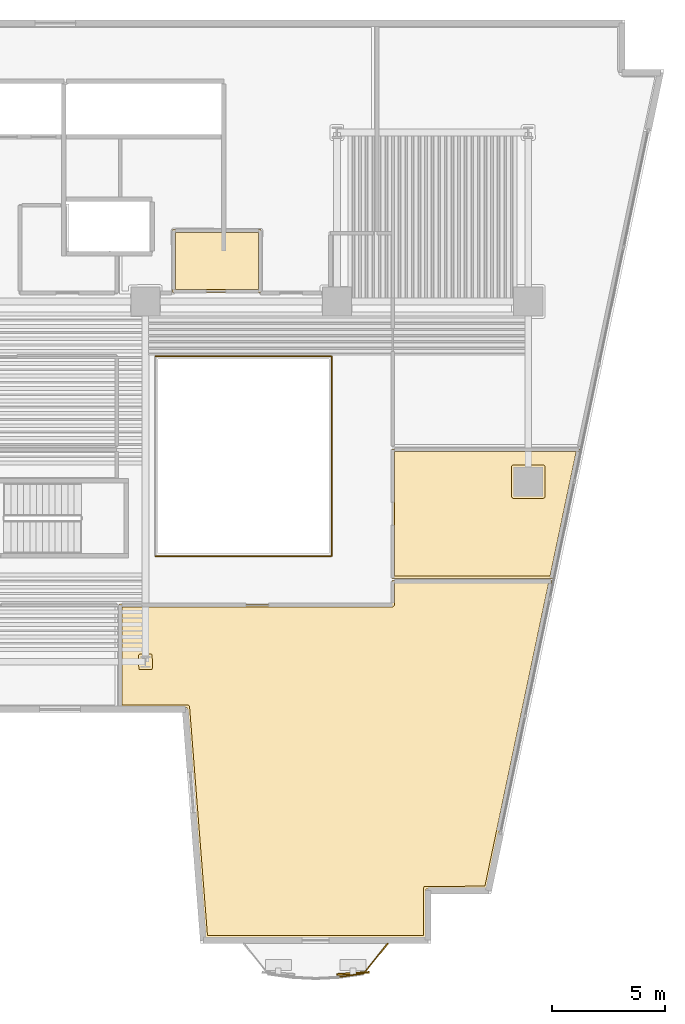
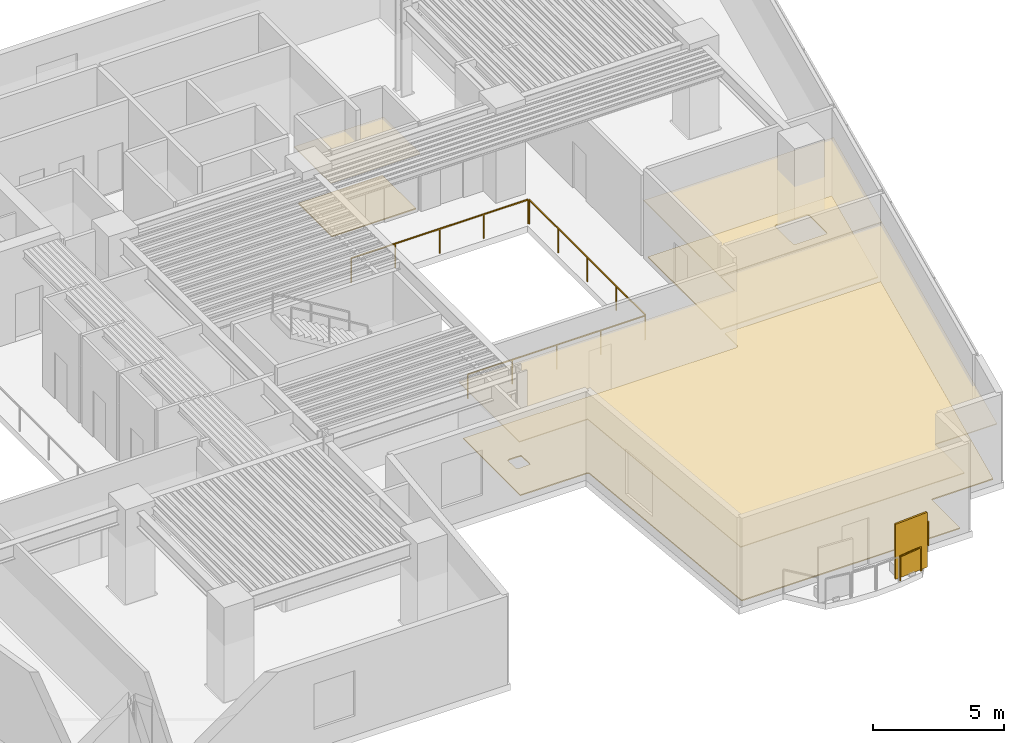
# One storey, part 9 of 11: 6 coverings, 5 railings, 1 shading device.
"""IFC4 building model written with IfcOpenShell, lengths in metres."""

from ifc_helpers import new_model, si_unit, direction, frame, origin, origin_2d, place, context, subcontext, project, spatial, polyline, rectangle, outline, extrude, material, layer, layer_set, type_object, element, save


model = new_model("IFC4")

# Units and contexts
model_context = context("Model", 3, precision=1e-05, world=origin(), true_north=direction((0.0, 1.0)))
body_context = subcontext(model_context, "Body", "Model", "MODEL_VIEW")
ifc_project = project(units=[si_unit("LENGTHUNIT", "METRE"), si_unit("AREAUNIT", "SQUARE_METRE"), si_unit("VOLUMEUNIT", "CUBIC_METRE"), si_unit("PLANEANGLEUNIT", "RADIAN"), si_unit("MASSUNIT", "GRAM", prefix="KILO")], contexts=[model_context])

# Site, building, storey
site_placement = place(None, origin())
site = spatial("IfcSite", under=ifc_project, at=site_placement, CompositionType="ELEMENT")
building_placement = place(site_placement, origin())
building = spatial("IfcBuilding", under=site, at=building_placement, Name="Caeloran Harvest Quay", CompositionType="ELEMENT")
storey_placement = place(building_placement, frame((0.0, 0.0, 75.39990234375)))
storey = spatial("IfcBuildingStorey", under=building, at=storey_placement, Name="L17", CompositionType="ELEMENT", Elevation=75.39990234375)

# Coverings
ifc_material_1 = material(Name="Perforated Mineral-Fibre Acoustic Ceiling Tile", Category="ceiling")
ifc_layer_1 = layer(ifc_material_1, 0.0400390625, Name="Perforated Mineral-Fibre Acoustic Ceiling Tile")
ifc_layer_set_1 = layer_set([ifc_layer_1], Name="Perforated Mineral-Fibre Acoustic Ceiling Tile")
covering_type_1 = type_object("IfcCoveringType", Name="COV-CEILING-ACOUSTIC", PredefinedType="CEILING", material=ifc_layer_set_1)
covering_1_placement = place(storey_placement, frame((0.0, 0.0, 2.60009765625)))
element("IfcCovering", 1, at=covering_1_placement, inside=storey, type_object=covering_type_1, Name="L17 Core Auxiliary Equipment Room Acoustic Ceiling", PredefinedType="CEILING", context=body_context, shape_type="SweptSolid", body=[
    extrude(outline(polyline([(39.139892578125, 34.18994140625), (39.139892578125, 31.409912109375), (35.2099609375, 31.409912109375), (35.2099609375, 34.18994140625), (39.139892578125, 34.18994140625)])), origin(), (0.0, 0.0, 1.0), 0.0400390625),
])
covering_2_placement = place(storey_placement, frame((0.0, 0.0, 2.60009765625)))
element("IfcCovering", 2, at=covering_2_placement, inside=storey, type_object=covering_type_1, Name="Medicinal Plant Aeroponic Room Acoustic Ceiling", PredefinedType="CEILING", context=body_context, shape_type="SweptSolid", body=[
    extrude(outline(polyline([(32.840087890625, 17.56005859375), (44.93994140625, 17.56005859375), (44.93994140625, 18.610107421875), (52.04638671875, 18.610107421875), (49.170654296875, 4.919921875), (46.467041015625, 4.919921875), (46.467041015625, 2.719970703125), (36.64404296875, 2.719970703125), (35.843994140625, 12.969970703125), (32.840087890625, 12.969970703125), (32.840087890625, 17.56005859375)])), origin(), (0.0, 0.0, 1.0), 0.0400390625),
])
covering_3_placement = place(storey_placement, frame((0.0, 0.0, 2.60009765625)))
element("IfcCovering", 3, at=covering_3_placement, inside=storey, type_object=covering_type_1, Name="Packaging Crate Laboratory Acoustic Ceiling", PredefinedType="CEILING", context=body_context, shape_type="SweptSolid", body=[
    extrude(outline(polyline([(44.93994140625, 24.4599609375), (53.275390625, 24.4599609375), (52.063232421875, 18.68994140625), (44.93994140625, 18.68994140625), (44.93994140625, 24.4599609375)])), origin(), (0.0, 0.0, 1.0), 0.0400390625),
])
ifc_material_2 = material(Name="Calcium-Sulphate Raised Access Floor and Terrazzo Finish", Category="flooring")
ifc_layer_2 = layer(ifc_material_2, 0.050048828125, Name="Calcium-Sulphate Raised Access Floor and Terrazzo Finish")
ifc_layer_set_2 = layer_set([ifc_layer_2], Name="Calcium-Sulphate Raised Access Floor and Terrazzo Finish")
covering_type_2 = type_object("IfcCoveringType", Name="COV-FLOOR-RAISED", PredefinedType="FLOORING", material=ifc_layer_set_2)
covering_4_placement = place(storey_placement, origin())
element("IfcCovering", 4, at=covering_4_placement, inside=storey, type_object=covering_type_2, Name="L17 Core Auxiliary Equipment Room Raised Finish Flooring", PredefinedType="FLOORING", context=body_context, shape_type="SweptSolid", body=[
    extrude(outline(polyline([(39.02001953125, 34.070068359375), (39.02001953125, 31.530029296875), (35.330078125, 31.530029296875), (35.330078125, 34.070068359375), (39.02001953125, 34.070068359375)])), origin(), (0.0, 0.0, 1.0), 0.050048828125),
])
covering_5_placement = place(storey_placement, origin())
element("IfcCovering", 5, at=covering_5_placement, inside=storey, type_object=covering_type_2, Name="Medicinal Plant Aeroponic Room Raised Finish Flooring", PredefinedType="FLOORING", context=body_context, shape_type="SweptSolid", body=[
    extrude(outline(polyline([(32.9599609375, 13.090087890625), (32.9599609375, 17.43994140625), (44.98779296875, 17.4404296875), (45.0595703125, 17.51220703125), (45.06005859375, 18.489990234375), (51.898681640625, 18.489990234375), (49.0732421875, 5.0400390625), (46.376220703125, 5.021728515625), (46.346923828125, 4.9599609375), (46.346923828125, 2.840087890625), (36.7548828125, 2.840087890625), (35.955322265625, 13.039306640625), (35.881103515625, 13.090087890625), (32.9599609375, 13.090087890625)]), holes=[polyline([(33.7666015625, 15.35205078125), (33.7099609375, 15.32861328125), (33.68701171875, 15.27978515625), (33.70458984375, 14.67724609375), (33.7666015625, 14.64794921875), (34.2841796875, 14.666259765625), (34.3134765625, 14.72802734375), (34.29541015625, 15.32275390625), (34.2412109375, 15.3515625), (33.7666015625, 15.35205078125)])]), origin(), (0.0, 0.0, 1.0), 0.050048828125),
])
covering_6_placement = place(storey_placement, origin())
element("IfcCovering", 6, at=covering_6_placement, inside=storey, type_object=covering_type_2, Name="Packaging Crate Laboratory Raised Finish Flooring", PredefinedType="FLOORING", context=body_context, shape_type="SweptSolid", body=[
    extrude(outline(polyline([(45.06005859375, 18.81005859375), (45.06005859375, 24.340087890625), (53.127685546875, 24.340087890625), (51.9658203125, 18.81005859375), (45.06005859375, 18.81005859375)]), holes=[polyline([(51.7451171875, 23.6650390625), (51.7216796875, 23.7216796875), (51.6650390625, 23.7451171875), (50.3349609375, 23.7451171875), (50.2783203125, 23.7216796875), (50.2548828125, 23.6650390625), (50.2548828125, 22.3349609375), (50.2783203125, 22.2783203125), (50.3349609375, 22.2548828125), (51.6650390625, 22.2548828125), (51.7216796875, 22.2783203125), (51.7451171875, 22.3349609375), (51.7451171875, 23.6650390625)])]), origin(), (0.0, 0.0, 1.0), 0.050048828125),
])

# Railings
ifc_material_3 = material(Name="Powder-Coated Steel Post and Laminated Glass Guardrail", Category="steel")
ifc_layer_3 = layer(ifc_material_3, 0.06005859375, Name="Powder-Coated Steel Post and Laminated Glass Guardrail")
ifc_layer_set_3 = layer_set([ifc_layer_3], Name="Powder-Coated Steel Post and Laminated Glass Guardrail")
railing_type_1 = type_object("IfcRailingType", Name="GUARD-ATRIUM-1150", PredefinedType="GUARDRAIL", material=ifc_layer_set_3)
railing_1_placement = place(storey_placement, frame((34.4619140625, 19.679931640625, 0.0)))
element("IfcRailing", 7, at=railing_1_placement, inside=storey, type_object=railing_type_1, Name="L17 East Botanical Lightwell Guardrail Seg 1", PredefinedType="GUARDRAIL", context=body_context, shape_type="SweptSolid", body=[
    extrude(rectangle(XDim=0.048095703125, YDim=0.048095703125, at=origin_2d()), frame((0.0, 0.0, 1.1259765625), z_axis=(1.0, 0.0, 0.0), x_axis=(0.0, 1.0, 0.0)), (0.0, 0.0, 1.0), 7.776123046875),
    extrude(rectangle(XDim=0.0419921875, YDim=0.0419921875, at=origin_2d()), origin(), (0.0, 0.0, 1.0), 1.101806640625),
    extrude(rectangle(XDim=0.0419921875, YDim=0.0419921875, at=origin_2d()), frame((1.944091796875, 0.0, 0.0)), (0.0, 0.0, 1.0), 1.101806640625),
    extrude(rectangle(XDim=0.0419921875, YDim=0.0419921875, at=origin_2d()), frame((3.88818359375, 0.0, 0.0)), (0.0, 0.0, 1.0), 1.101806640625),
    extrude(rectangle(XDim=0.0419921875, YDim=0.0419921875, at=origin_2d()), frame((5.83203125, 0.0, 0.0)), (0.0, 0.0, 1.0), 1.101806640625),
    extrude(rectangle(XDim=0.0419921875, YDim=0.0419921875, at=origin_2d()), frame((7.776123046875, 0.0, 0.0)), (0.0, 0.0, 1.0), 1.101806640625),
])
railing_2_placement = place(storey_placement, frame((42.27001953125, 19.7119140625, 0.0)))
element("IfcRailing", 8, at=railing_2_placement, inside=storey, type_object=railing_type_1, Name="L17 East Botanical Lightwell Guardrail Seg 2", PredefinedType="GUARDRAIL", context=body_context, shape_type="SweptSolid", body=[
    extrude(rectangle(XDim=0.048095703125, YDim=0.048095703125, at=origin_2d()), frame((0.0, 0.0, 1.1259765625), z_axis=(0.0, 1.0, 0.0), x_axis=(-1.0, 0.0, 0.0)), (0.0, 0.0, 1.0), 8.826171875),
    extrude(rectangle(XDim=0.0419921875, YDim=0.0419921875, at=origin_2d()), origin(), (0.0, 0.0, 1.0), 1.101806640625),
    extrude(rectangle(XDim=0.0419921875, YDim=0.0419921875, at=origin_2d()), frame((0.0, 2.20654296875, 0.0)), (0.0, 0.0, 1.0), 1.101806640625),
    extrude(rectangle(XDim=0.0419921875, YDim=0.0419921875, at=origin_2d()), frame((0.0, 4.4130859375, 0.0)), (0.0, 0.0, 1.0), 1.101806640625),
    extrude(rectangle(XDim=0.0419921875, YDim=0.0419921875, at=origin_2d()), frame((0.0, 6.61962890625, 0.0)), (0.0, 0.0, 1.0), 1.101806640625),
    extrude(rectangle(XDim=0.0419921875, YDim=0.0419921875, at=origin_2d()), frame((0.0, 8.826171875, 0.0)), (0.0, 0.0, 1.0), 1.101806640625),
])
railing_3_placement = place(storey_placement, frame((42.238037109375, 28.570068359375, 0.0)))
element("IfcRailing", 9, at=railing_3_placement, inside=storey, type_object=railing_type_1, Name="L17 East Botanical Lightwell Guardrail Seg 3", PredefinedType="GUARDRAIL", context=body_context, shape_type="SweptSolid", body=[
    extrude(rectangle(XDim=0.048095703125, YDim=0.048095703125, at=origin_2d()), frame((0.0, 0.0, 1.1259765625), z_axis=(-1.0, 0.0, 0.0), x_axis=(0.0, -1.0, 0.0)), (0.0, 0.0, 1.0), 7.776123046875),
    extrude(rectangle(XDim=0.0419921875, YDim=0.0419921875, at=origin_2d()), origin(), (0.0, 0.0, 1.0), 1.101806640625),
    extrude(rectangle(XDim=0.0419921875, YDim=0.0419921875, at=origin_2d()), frame((-1.944091796875, 0.0, 0.0)), (0.0, 0.0, 1.0), 1.101806640625),
    extrude(rectangle(XDim=0.0419921875, YDim=0.0419921875, at=origin_2d()), frame((-3.88818359375, 0.0, 0.0)), (0.0, 0.0, 1.0), 1.101806640625),
    extrude(rectangle(XDim=0.0419921875, YDim=0.0419921875, at=origin_2d()), frame((-5.83203125, 0.0, 0.0)), (0.0, 0.0, 1.0), 1.101806640625),
    extrude(rectangle(XDim=0.0419921875, YDim=0.0419921875, at=origin_2d()), frame((-7.776123046875, 0.0, 0.0)), (0.0, 0.0, 1.0), 1.101806640625),
])
ifc_material_4 = material(Name="Laminated Safety Glass and Stainless Steel 316", Category="steel")
ifc_layer_4 = layer(ifc_material_4, 0.06005859375, Name="Laminated Safety Glass and Stainless Steel 316")
ifc_layer_set_4 = layer_set([ifc_layer_4], Name="Laminated Safety Glass and Stainless Steel 316")
railing_type_2 = type_object("IfcRailingType", Name="GUARD-BALUSTRADE-1150", PredefinedType="BALUSTRADE", material=ifc_layer_set_4)
railing_4_placement = place(storey_placement, frame((44.7509765625, 2.47998046875, 0.0)))
element("IfcRailing", 10, at=railing_4_placement, inside=storey, type_object=railing_type_2, Name="L17 Planted Balcony Perimeter Balustrade Guard Seg 1", PredefinedType="BALUSTRADE", context=body_context, shape_type="SweptSolid", body=[
    extrude(rectangle(XDim=0.048095703125, YDim=0.048095703125, at=origin_2d()), frame((0.0, 0.0, 1.1259765625), z_axis=(-0.627786878651, -0.778385274137, 0.0), x_axis=(0.778385274137, -0.627786878651, 0.0)), (0.0, 0.0, 1.0), 1.663330078125),
    extrude(rectangle(XDim=0.0419921875, YDim=0.0419921875, at=origin_2d()), origin(), (0.0, 0.0, 1.0), 1.101806640625),
    extrude(rectangle(XDim=0.0419921875, YDim=0.0419921875, at=origin_2d()), frame((-1.044189453125, -1.294677734375, 0.0)), (0.0, 0.0, 1.0), 1.101806640625),
])
railing_5_placement = place(storey_placement, frame((43.655029296875, 1.156005859375, 0.0)))
element("IfcRailing", 11, at=railing_5_placement, inside=storey, type_object=railing_type_2, Name="L17 Planted Balcony Perimeter Balustrade Guard Seg 2", PredefinedType="BALUSTRADE", context=body_context, shape_type="SweptSolid", body=[
    extrude(rectangle(XDim=0.048095703125, YDim=0.048095703125, at=origin_2d()), frame((0.0, 0.0, 1.1259765625), z_axis=(-0.989765146773, -0.142705831116, 0.0), x_axis=(0.142705831116, -0.989765146773, 0.0)), (0.0, 0.0, 1.0), 1.010986328125),
    extrude(rectangle(XDim=0.0419921875, YDim=0.0419921875, at=origin_2d()), origin(), (0.0, 0.0, 1.0), 1.101806640625),
    extrude(rectangle(XDim=0.0419921875, YDim=0.0419921875, at=origin_2d()), frame((-1.000732421875, -0.144287109375, 0.0)), (0.0, 0.0, 1.0), 1.101806640625),
])

# Shading device
ifc_material_5 = material(Name="3003-H14 Perforated Powder-Coated Aluminium", Category="aluminium")
shading_device_type = type_object("IfcShadingDeviceType", Name="SHADE-SCREEN-FOLDED", PredefinedType="USERDEFINED", material=ifc_material_5)
shading_device_placement = place(storey_placement, frame((43.218505859375, 1.164794921875, 0.0751953125), z_axis=(0.0, 0.0, 1.0), x_axis=(0.997801468292, 0.0662739004, 0.0)))
element("IfcShadingDevice", 12, at=shading_device_placement, inside=storey, type_object=shading_device_type, Name="L17 Folded Facade Breathing Screen 1", ObjectType="SCREEN", PredefinedType="USERDEFINED", context=body_context, shape_type="SweptSolid", body=[
    extrude(rectangle(XDim=1.449951171875, YDim=0.080078125, at=origin_2d()), origin(), (0.0, 0.0, 1.0), 2.550048828125),
])

save(model, "model.ifc")
